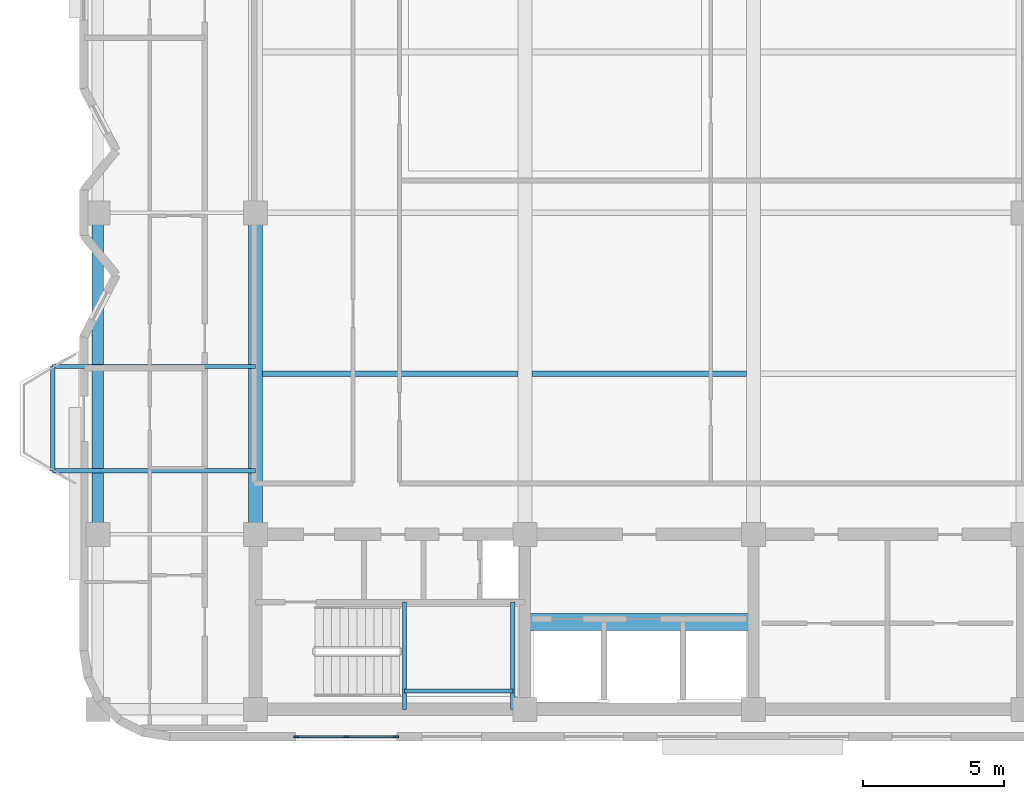
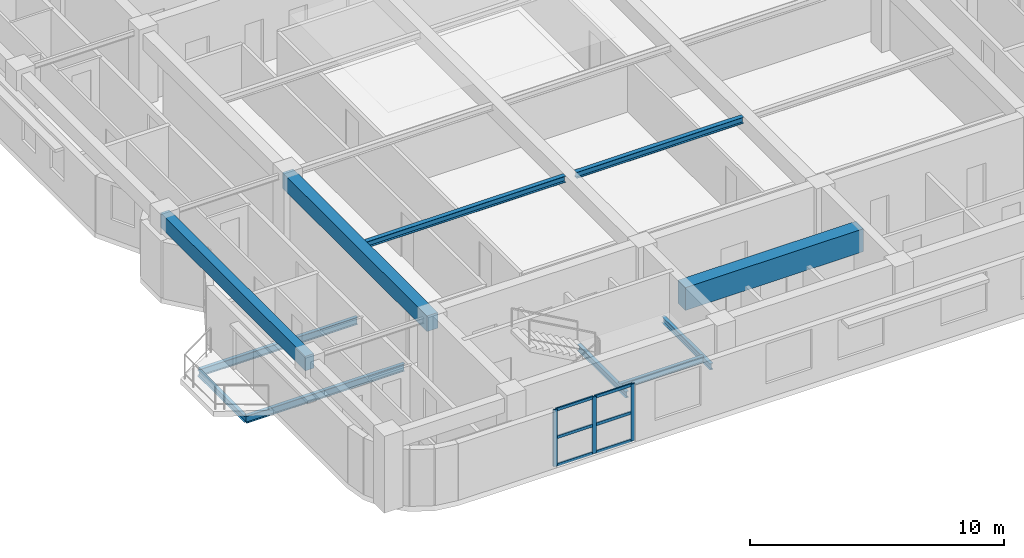
# One storey, part 2 of 12: 11 beams, 9 members, 1 element without a shape of its own.
"""IFC4 building model written with IfcOpenShell, lengths in metres."""

from ifc_helpers import new_model, si_unit, direction, frame, origin, origin_2d, place, context, subcontext, project, spatial, rectangle, i_section, extrude, material, material_profile, profile_set, type_object, element, aggregate, save


model = new_model("IFC4")

# Units and contexts
model_context = context("Model", 3, precision=1e-05, world=origin(), true_north=direction((0.0, 1.0)))
body_context = subcontext(model_context, "Body", "Model", "MODEL_VIEW")
ifc_project = project(units=[si_unit("LENGTHUNIT", "METRE"), si_unit("AREAUNIT", "SQUARE_METRE"), si_unit("VOLUMEUNIT", "CUBIC_METRE"), si_unit("PLANEANGLEUNIT", "RADIAN"), si_unit("MASSUNIT", "GRAM", prefix="KILO")], contexts=[model_context])

# Site, building, storey
site_placement = place(None, origin())
site = spatial("IfcSite", under=ifc_project, at=site_placement, CompositionType="ELEMENT")
building_placement = place(site_placement, origin())
building = spatial("IfcBuilding", under=site, at=building_placement, Name="Svetorya Sky Lyceum", CompositionType="ELEMENT")
storey_placement = place(building_placement, frame((0.0, 0.0, 236.89990234375)))
storey = spatial("IfcBuildingStorey", under=building, at=storey_placement, Name="L59", CompositionType="ELEMENT", Elevation=236.89990234375)

# Beams
ifc_material_1 = material(Name="Concrete C60/75", Category="concrete")
ifc_material_profile_1 = material_profile(ifc_material_1, rectangle(XDim=0.60009765625, YDim=1.10009765625, at=origin_2d()), Name="RC COUPLING 600x1100")
ifc_profile_set_1 = profile_set([ifc_material_profile_1], Name="Concrete C60/75")
beam_type_1 = type_object("IfcBeamType", Name="BM-CPL-1100", PredefinedType="LINTEL", material=ifc_profile_set_1)
beam_1_placement = place(storey_placement, frame((35.14990234375, 13.699951171875, 2.900146484375), z_axis=(1.0, 0.0, 0.0), x_axis=(0.0, 1.0, 0.0)))
element("IfcBeam", 1, at=beam_1_placement, inside=storey, type_object=beam_type_1, Name="L59 SC Core Coupling Beam", PredefinedType="LINTEL", context=body_context, shape_type="SweptSolid", body=[
    extrude(rectangle(XDim=0.60009765625, YDim=1.10009765625, at=origin_2d()), origin(), (0.0, 0.0, 1.0), 8.10009765625),
])
ifc_material_2 = material(Name="Concrete C50/60", Category="concrete")
ifc_material_profile_2 = material_profile(ifc_material_2, rectangle(XDim=0.5, YDim=0.75, at=origin_2d()), Name="RC BEAM 500x750")
ifc_profile_set_2 = profile_set([ifc_material_profile_2], Name="Concrete C50/60")
beam_type_2 = type_object("IfcBeamType", Name="BM-RC-750", PredefinedType="BEAM", material=ifc_profile_set_2)
beam_2_placement = place(storey_placement, frame((25.60009765625, 16.800048828125, 3.0751953125), z_axis=(0.0, 1.0, 0.0), x_axis=(-1.0, 0.0, 0.0)))
element("IfcBeam", 2, at=beam_2_placement, inside=storey, type_object=beam_type_2, Name="L59 Central Bay Primary Girder CG-1A", PredefinedType="BEAM", context=body_context, shape_type="SweptSolid", body=[
    extrude(rectangle(XDim=0.5, YDim=0.75, at=origin_2d()), origin(), (0.0, 0.0, 1.0), 11.39990234375),
])
ifc_material_profile_3 = material_profile(ifc_material_2, rectangle(XDim=0.39990234375, YDim=0.699951171875, at=origin_2d()), Name="RC SPANDREL 400x700")
ifc_profile_set_3 = profile_set([ifc_material_profile_3], Name="Concrete C50/60")
beam_type_3 = type_object("IfcBeamType", Name="BM-SPN-700", PredefinedType="SPANDREL", material=ifc_profile_set_3)
beam_3_placement = place(storey_placement, frame((20.010009765625, 16.800048828125, 3.10009765625), z_axis=(0.0, 1.0, 0.0), x_axis=(-1.0, 0.0, 0.0)))
element("IfcBeam", 3, at=beam_3_placement, inside=storey, type_object=beam_type_3, Name="L59 West Spandrel 2", PredefinedType="SPANDREL", context=body_context, shape_type="SweptSolid", body=[
    extrude(rectangle(XDim=0.39990234375, YDim=0.699951171875, at=origin_2d()), origin(), (0.0, 0.0, 1.0), 11.39990234375),
])
ifc_material_3 = material(Name="Steel S355", Category="steel")
ifc_material_profile_4 = material_profile(ifc_material_3, i_section(OverallWidth=0.14990234375, OverallDepth=0.299072265625, WebThickness=0.006591796875, FlangeThickness=0.010498046875, at=origin_2d()), Name="GOST 30B2")
ifc_profile_set_4 = profile_set([ifc_material_profile_4], Name="Steel S355")
beam_type_4 = type_object("IfcBeamType", Name="BM-STL-30B2", PredefinedType="JOIST", material=ifc_profile_set_4)
beam_4_placement = place(storey_placement, frame((18.409912109375, 19.050048828125, -0.42431640625), z_axis=(0.0, 1.0, 0.0), x_axis=(-1.0, 0.0, 0.0)))
element("IfcBeam", 4, at=beam_4_placement, inside=storey, type_object=beam_type_4, Name="L59 Balcony Edge Tie BAL-W1", PredefinedType="JOIST", context=body_context, shape_type="SweptSolid", body=[
    extrude(i_section(OverallWidth=0.14990234375, OverallDepth=0.299072265625, WebThickness=0.006591796875, FlangeThickness=0.010498046875, at=origin_2d()), origin(), (0.0, 0.0, 1.0), 3.699951171875),
])
for number, where, z_axis, x_axis, name in (
    (5, (30.8798828125, 10.60009765625, 1.50048828125), (0.0, 1.0, 0.0), (-1.0, 0.0, 0.0), "L59 Stair ST-S Half-Landing Support Beam 67.1"),
    (6, (34.719970703125, 10.60009765625, 1.50048828125), (0.0, 1.0, 0.0), (-1.0, 0.0, 0.0), "L59 Stair ST-S Half-Landing Support Beam 67.2"),
):
    element("IfcBeam", number, at=place(storey_placement, frame(where, z_axis=z_axis, x_axis=x_axis)), inside=storey, type_object=beam_type_4, Name=name, PredefinedType="JOIST", context=body_context, shape_type="SweptSolid", body=[
        extrude(i_section(OverallWidth=0.14990234375, OverallDepth=0.299072265625, WebThickness=0.006591796875, FlangeThickness=0.010498046875, at=origin_2d()), origin(), (0.0, 0.0, 1.0), 3.7998046875),
    ])
beam_5_placement = place(storey_placement, frame((30.8798828125, 11.25, 1.50048828125), z_axis=(1.0, 0.0, 0.0), x_axis=(0.0, 1.0, 0.0)))
element("IfcBeam", 7, at=beam_5_placement, inside=storey, type_object=beam_type_4, Name="L59 Stair ST-S Half-Landing Cross Tie 67", PredefinedType="JOIST", context=body_context, shape_type="SweptSolid", body=[
    extrude(i_section(OverallWidth=0.14990234375, OverallDepth=0.299072265625, WebThickness=0.006591796875, FlangeThickness=0.010498046875, at=origin_2d()), origin(), (0.0, 0.0, 1.0), 3.840087890625),
])
ifc_material_profile_5 = material_profile(ifc_material_3, i_section(OverallWidth=0.199951171875, OverallDepth=0.298095703125, WebThickness=0.008544921875, FlangeThickness=0.012939453125, at=origin_2d()), Name="GOST 30Sh2")
ifc_profile_set_5 = profile_set([ifc_material_profile_5], Name="Steel S355")
beam_type_5 = type_object("IfcBeamType", Name="BM-STL-30SH2", PredefinedType="BEAM", material=ifc_profile_set_5)
beam_6_placement = place(storey_placement, frame((25.85009765625, 22.5, 3.301025390625), z_axis=(1.0, 0.0, 0.0), x_axis=(0.0, 1.0, 0.0)))
element("IfcBeam", 8, at=beam_6_placement, inside=storey, type_object=beam_type_5, Name="L59 Central Floor Joist CJ-1.1", PredefinedType="BEAM", context=body_context, shape_type="SweptSolid", body=[
    extrude(i_section(OverallWidth=0.199951171875, OverallDepth=0.298095703125, WebThickness=0.008544921875, FlangeThickness=0.012939453125, at=origin_2d()), origin(), (0.0, 0.0, 1.0), 9.0498046875),
])
beam_7_placement = place(storey_placement, frame((35.39990234375, 22.5, 3.301025390625), z_axis=(1.0, 0.0, 0.0), x_axis=(0.0, 1.0, 0.0)))
element("IfcBeam", 9, at=beam_7_placement, inside=storey, type_object=beam_type_5, Name="L59 Central Floor Joist CJ-1.2", PredefinedType="BEAM", context=body_context, shape_type="SweptSolid", body=[
    extrude(i_section(OverallWidth=0.199951171875, OverallDepth=0.298095703125, WebThickness=0.008544921875, FlangeThickness=0.012939453125, at=origin_2d()), origin(), (0.0, 0.0, 1.0), 7.60009765625),
])
ifc_material_profile_6 = material_profile(ifc_material_3, i_section(OverallWidth=0.155029296875, OverallDepth=0.34912109375, WebThickness=0.007080078125, FlangeThickness=0.011474609375, at=origin_2d()), Name="GOST 35B2")
ifc_profile_set_6 = profile_set([ifc_material_profile_6], Name="Steel S355")
beam_type_6 = type_object("IfcBeamType", Name="BM-STL-35B2", PredefinedType="JOIST", material=ifc_profile_set_6)
for number, where, z_axis, x_axis, name in (
    (10, (25.60009765625, 19.050048828125, -0.42431640625), (-1.0, 0.0, 0.0), (0.0, -1.0, 0.0), "L59 Balcony Cantilever Beam BAL-W1-1"),
    (11, (25.60009765625, 22.75, -0.42431640625), (-1.0, 0.0, 0.0), (0.0, -1.0, 0.0), "L59 Balcony Cantilever Beam BAL-W1-2"),
):
    element("IfcBeam", number, at=place(storey_placement, frame(where, z_axis=z_axis, x_axis=x_axis)), inside=storey, type_object=beam_type_6, Name=name, PredefinedType="JOIST", context=body_context, shape_type="SweptSolid", body=[
        extrude(i_section(OverallWidth=0.155029296875, OverallDepth=0.34912109375, WebThickness=0.007080078125, FlangeThickness=0.011474609375, at=origin_2d()), origin(), (0.0, 0.0, 1.0), 7.190185546875),
    ])

# Curtain wall, members
ifc_material_4 = material(Name="Thermally broken anodized aluminium and triple low-E glass", Category="aluminium")
curtain_wall_type = type_object("IfcCurtainWallType", Name="CW3-LOG-RES", PredefinedType="NOTDEFINED", material=ifc_material_4)
curtain_wall_placement = place(storey_placement, origin())
curtain_wall = element("IfcCurtainWall", 12, at=curtain_wall_placement, inside=storey, type_object=curtain_wall_type, Name="L59 Recessed Loggia Curtain Wall 6", PredefinedType="NOTDEFINED")
ifc_material_5 = material(Name="Thermally broken anodized aluminium EN AW-6060", Category="aluminium")
ifc_material_profile_7 = material_profile(ifc_material_5, rectangle(XDim=0.06494140625, YDim=0.179931640625, at=origin_2d()), Name="ALU MULLION 65x180")
ifc_profile_set_7 = profile_set([ifc_material_profile_7], Name="Thermally broken anodized aluminium EN AW-6060")
member_type_1 = type_object("IfcMemberType", Name="CWM-MUL-180", PredefinedType="MULLION", material=ifc_profile_set_7)
member_1_placement = place(storey_placement, frame((27.04248046875, 9.6298828125, 0.0), z_axis=(0.0, 0.0, 1.0), x_axis=(0.0, 1.0, 0.0)))
member_1 = element("IfcMember", 13, at=member_1_placement, type_object=member_type_1, Name="CW-3 mullion 1", PredefinedType="MULLION", context=body_context, shape_type="SweptSolid", body=[
    extrude(rectangle(XDim=0.06494140625, YDim=0.179931640625, at=origin_2d()), origin(), (0.0, 0.0, 1.0), 2.72998046875),
])
member_2_placement = place(storey_placement, frame((28.81005859375, 9.6298828125, 0.0), z_axis=(0.0, 0.0, 1.0), x_axis=(0.0, 1.0, 0.0)))
member_2 = element("IfcMember", 14, at=member_2_placement, type_object=member_type_1, Name="CW-3 mullion 2", PredefinedType="MULLION", context=body_context, shape_type="SweptSolid", body=[
    extrude(rectangle(XDim=0.06494140625, YDim=0.179931640625, at=origin_2d()), origin(), (0.0, 0.0, 1.0), 2.72998046875),
])
member_3_placement = place(storey_placement, frame((30.577392578125, 9.6298828125, 0.0), z_axis=(0.0, 0.0, 1.0), x_axis=(0.0, 1.0, 0.0)))
member_3 = element("IfcMember", 15, at=member_3_placement, type_object=member_type_1, Name="CW-3 mullion 3", PredefinedType="MULLION", context=body_context, shape_type="SweptSolid", body=[
    extrude(rectangle(XDim=0.06494140625, YDim=0.179931640625, at=origin_2d()), origin(), (0.0, 0.0, 1.0), 2.72998046875),
])
ifc_material_profile_8 = material_profile(ifc_material_5, rectangle(XDim=0.06494140625, YDim=0.139892578125, at=origin_2d()), Name="ALU TRANSOM 65x140")
ifc_profile_set_8 = profile_set([ifc_material_profile_8], Name="Thermally broken anodized aluminium EN AW-6060")
member_type_2 = type_object("IfcMemberType", Name="CWM-TRN-140", PredefinedType="USERDEFINED", material=ifc_profile_set_8)
member_4_placement = place(storey_placement, frame((27.073486328125, 9.6298828125, 0.03271484375), z_axis=(1.0, 0.0, 0.0), x_axis=(0.0, 1.0, 0.0)))
member_4 = element("IfcMember", 16, at=member_4_placement, type_object=member_type_2, Name="CW-3 transom 1.1", ObjectType="TRANSOM", PredefinedType="USERDEFINED", context=body_context, shape_type="SweptSolid", body=[
    extrude(rectangle(XDim=0.06494140625, YDim=0.139892578125, at=origin_2d()), origin(), (0.0, 0.0, 1.0), 1.70556640625),
])
member_5_placement = place(storey_placement, frame((27.073486328125, 9.6298828125, 1.364990234375), z_axis=(1.0, 0.0, 0.0), x_axis=(0.0, 1.0, 0.0)))
member_5 = element("IfcMember", 17, at=member_5_placement, type_object=member_type_2, Name="CW-3 transom 1.2", ObjectType="TRANSOM", PredefinedType="USERDEFINED", context=body_context, shape_type="SweptSolid", body=[
    extrude(rectangle(XDim=0.06494140625, YDim=0.139892578125, at=origin_2d()), origin(), (0.0, 0.0, 1.0), 1.70556640625),
])
member_6_placement = place(storey_placement, frame((27.073486328125, 9.6298828125, 2.697509765625), z_axis=(1.0, 0.0, 0.0), x_axis=(0.0, 1.0, 0.0)))
member_6 = element("IfcMember", 18, at=member_6_placement, type_object=member_type_2, Name="CW-3 transom 1.3", ObjectType="TRANSOM", PredefinedType="USERDEFINED", context=body_context, shape_type="SweptSolid", body=[
    extrude(rectangle(XDim=0.06494140625, YDim=0.139892578125, at=origin_2d()), origin(), (0.0, 0.0, 1.0), 1.70556640625),
])
member_7_placement = place(storey_placement, frame((28.841064453125, 9.6298828125, 0.03271484375), z_axis=(1.0, 0.0, 0.0), x_axis=(0.0, 1.0, 0.0)))
member_7 = element("IfcMember", 19, at=member_7_placement, type_object=member_type_2, Name="CW-3 transom 2.1", ObjectType="TRANSOM", PredefinedType="USERDEFINED", context=body_context, shape_type="SweptSolid", body=[
    extrude(rectangle(XDim=0.06494140625, YDim=0.139892578125, at=origin_2d()), origin(), (0.0, 0.0, 1.0), 1.705322265625),
])
member_8_placement = place(storey_placement, frame((28.841064453125, 9.6298828125, 1.364990234375), z_axis=(1.0, 0.0, 0.0), x_axis=(0.0, 1.0, 0.0)))
member_8 = element("IfcMember", 20, at=member_8_placement, type_object=member_type_2, Name="CW-3 transom 2.2", ObjectType="TRANSOM", PredefinedType="USERDEFINED", context=body_context, shape_type="SweptSolid", body=[
    extrude(rectangle(XDim=0.06494140625, YDim=0.139892578125, at=origin_2d()), origin(), (0.0, 0.0, 1.0), 1.705322265625),
])
member_9_placement = place(storey_placement, frame((28.841064453125, 9.6298828125, 2.697509765625), z_axis=(1.0, 0.0, 0.0), x_axis=(0.0, 1.0, 0.0)))
member_9 = element("IfcMember", 21, at=member_9_placement, type_object=member_type_2, Name="CW-3 transom 2.3", ObjectType="TRANSOM", PredefinedType="USERDEFINED", context=body_context, shape_type="SweptSolid", body=[
    extrude(rectangle(XDim=0.06494140625, YDim=0.139892578125, at=origin_2d()), origin(), (0.0, 0.0, 1.0), 1.705322265625),
])
aggregate(curtain_wall, [member_1, member_2, member_3, member_4, member_5, member_6, member_7, member_8, member_9])

save(model, "model.ifc")
